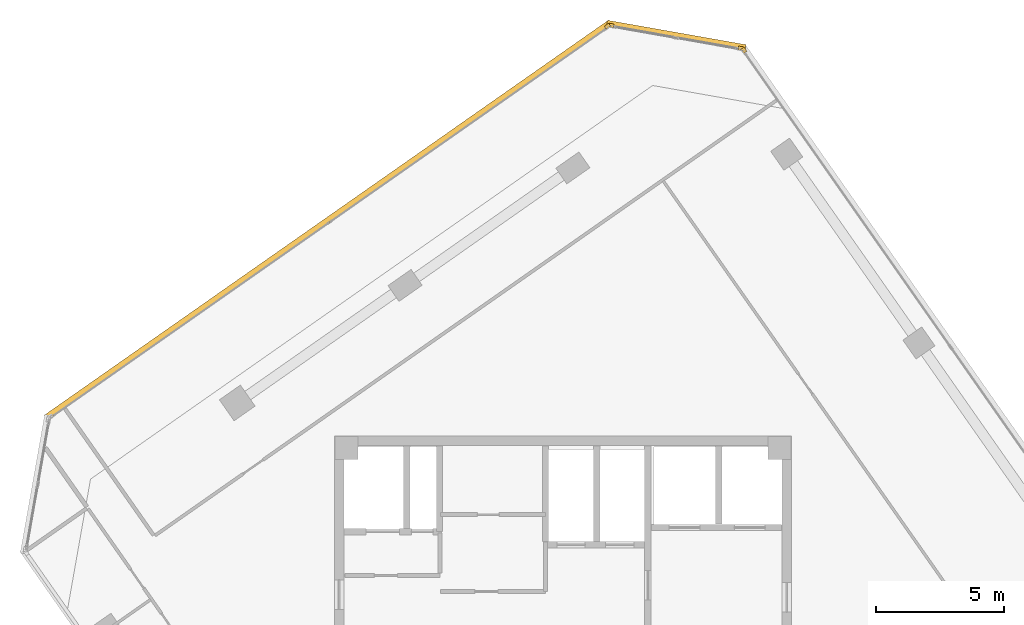
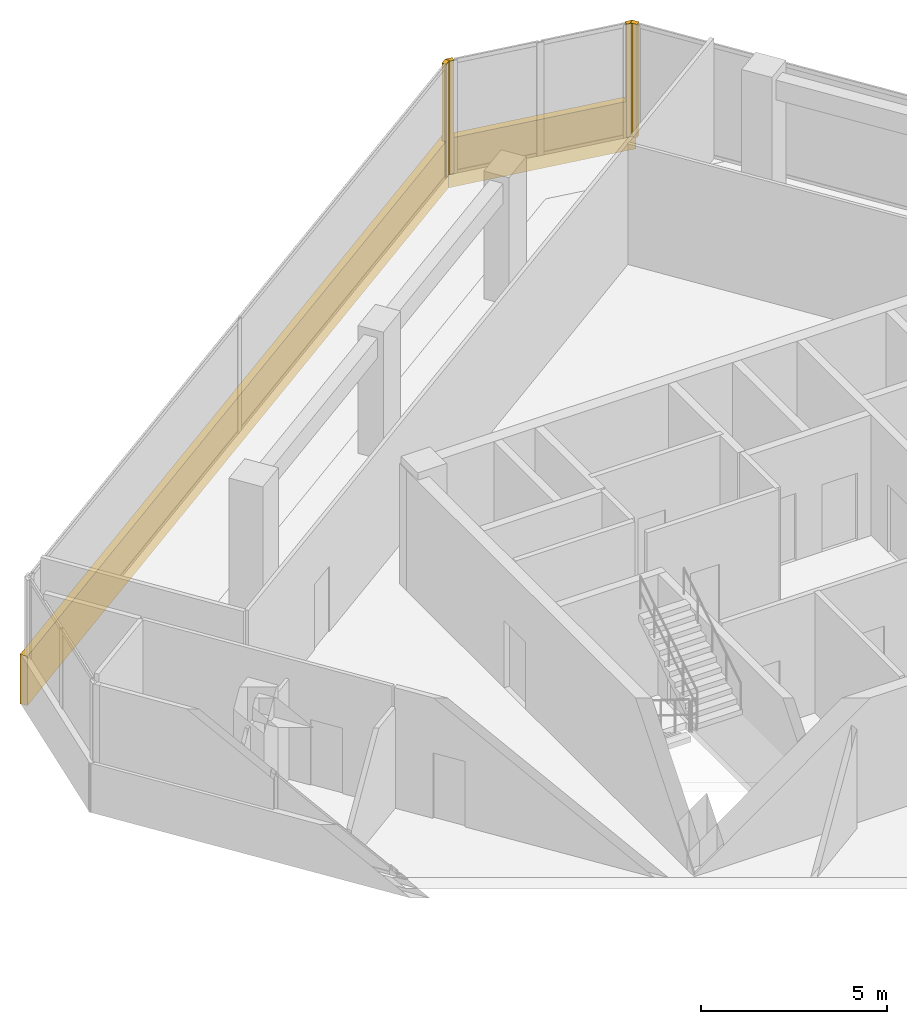
# One storey, part 17 of 17: 6 coverings.
"""IFC4 building model written with IfcOpenShell, lengths in metres."""

from ifc_helpers import new_model, si_unit, direction, frame, origin, origin_2d, place, context, subcontext, project, spatial, rectangle, extrude, source, transform, mapped, material, layer, layer_set, type_object, element, save


model = new_model("IFC4")

# Units and contexts
model_context = context("Model", 3, precision=1e-05, world=origin(), true_north=direction((0.0, 1.0)))
body_context = subcontext(model_context, "Body", "Model", "MODEL_VIEW")
ifc_project = project(units=[si_unit("LENGTHUNIT", "METRE"), si_unit("AREAUNIT", "SQUARE_METRE"), si_unit("VOLUMEUNIT", "CUBIC_METRE"), si_unit("PLANEANGLEUNIT", "RADIAN"), si_unit("MASSUNIT", "GRAM", prefix="KILO")], contexts=[model_context])

# Site, building, storey
site_placement = place(None, origin())
site = spatial("IfcSite", under=ifc_project, at=site_placement, CompositionType="ELEMENT")
building_placement = place(site_placement, origin())
building = spatial("IfcBuilding", under=site, at=building_placement, Name="Torre Montelarca", CompositionType="ELEMENT")
storey_placement = place(building_placement, frame((0.0, 0.0, 298.800048828125)))
storey = spatial("IfcBuildingStorey", under=building, at=storey_placement, Name="L67", CompositionType="ELEMENT", Elevation=298.800048828125)

# Coverings
ifc_material = material(Name="Bush-hammered warm white precast concrete C45/55", Category="concrete")
ifc_layer = layer(ifc_material, 0.139892578125, Name="Bush-hammered warm white precast concrete C45/55", Category="concrete")
ifc_layer_set = layer_set([ifc_layer], Name="Bush-hammered warm white precast concrete C45/55")
covering_type = type_object("IfcCoveringType", Name="COV-TRAY-CLAD", PredefinedType="CLADDING", material=ifc_layer_set)
shared_shape_1 = source(origin(), body_context, "Body", "SweptSolid", [
    extrude(rectangle(XDim=0.199951171875, YDim=0.139892578125, at=origin_2d()), origin(), (0.0, 0.0, 1.0), 3.719970703125),
])
for number, where, z_axis, x_axis, name in (
    (1, (25.069580078125, 54.989013671875, 0.0), (0.0, 0.0, 1.0), (-0.573573576968, 0.819154046443, 0.0), "L67 Architectural Column Pier Cladding E08-2"),
    (2, (24.947021484375, 55.067138671875, 0.0), (0.0, 0.0, 1.0), (-0.984808056084, 0.173646458853, 0.0), "L67 Architectural Column Pier Cladding E09-1"),
    (3, (19.883056640625, 55.9599609375, 0.0), (0.0, 0.0, 1.0), (-0.984808056084, 0.173646458853, 0.0), "L67 Architectural Column Pier Cladding E09-2"),
    (4, (19.7412109375, 55.9287109375, 0.0), (0.0, 0.0, 1.0), (-0.819153045367, -0.57357500666, 0.0), "L67 Architectural Column Pier Cladding E10-1"),
):
    element("IfcCovering", number, at=place(storey_placement, frame(where, z_axis=z_axis, x_axis=x_axis)), inside=storey, type_object=covering_type, Name=name, PredefinedType="CLADDING", context=body_context, shape_type="MappedRepresentation", body=[
        mapped(shared_shape_1, transform((0.0, 0.0, 0.0), scale=1.0)),
    ])
shared_shape_2 = source(origin(), body_context, "Body", "SweptSolid", [
    extrude(rectangle(XDim=5.493896484375, YDim=0.219970703125, at=origin_2d()), origin(), (0.0, 0.0, 1.0), 1.6201171875),
])
covering_1_placement = place(storey_placement, frame((22.42529296875, 55.57275390625, -0.4501953125), z_axis=(0.0, 0.0, 1.0), x_axis=(-0.984806843779, 0.173653334106, 0.0)))
element("IfcCovering", 5, at=covering_1_placement, inside=storey, type_object=covering_type, Name="L67 Architectural White Spandrel Tray Band TRYBOT-09", PredefinedType="CLADDING", context=body_context, shape_type="MappedRepresentation", body=[
    mapped(shared_shape_2, transform((0.0, 0.0, 0.0), scale=1.0)),
])
shared_shape_3 = source(origin(), body_context, "Body", "SweptSolid", [
    extrude(rectangle(XDim=26.920166015625, YDim=0.219970703125, at=origin_2d()), origin(), (0.0, 0.0, 1.0), 1.6201171875),
])
covering_2_placement = place(storey_placement, frame((8.8251953125, 48.3583984375, -0.4501953125), z_axis=(0.0, 0.0, 1.0), x_axis=(-0.819151043208, -0.57357786604, 0.0)))
element("IfcCovering", 6, at=covering_2_placement, inside=storey, type_object=covering_type, Name="L67 Architectural White Spandrel Tray Band TRYBOT-10", PredefinedType="CLADDING", context=body_context, shape_type="MappedRepresentation", body=[
    mapped(shared_shape_3, transform((0.0, 0.0, 0.0), scale=1.0)),
])

save(model, "model.ifc")
